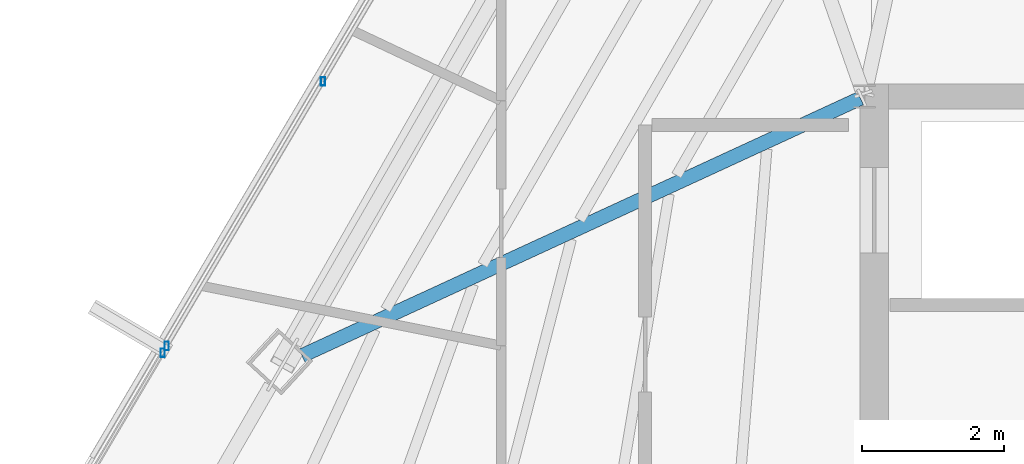
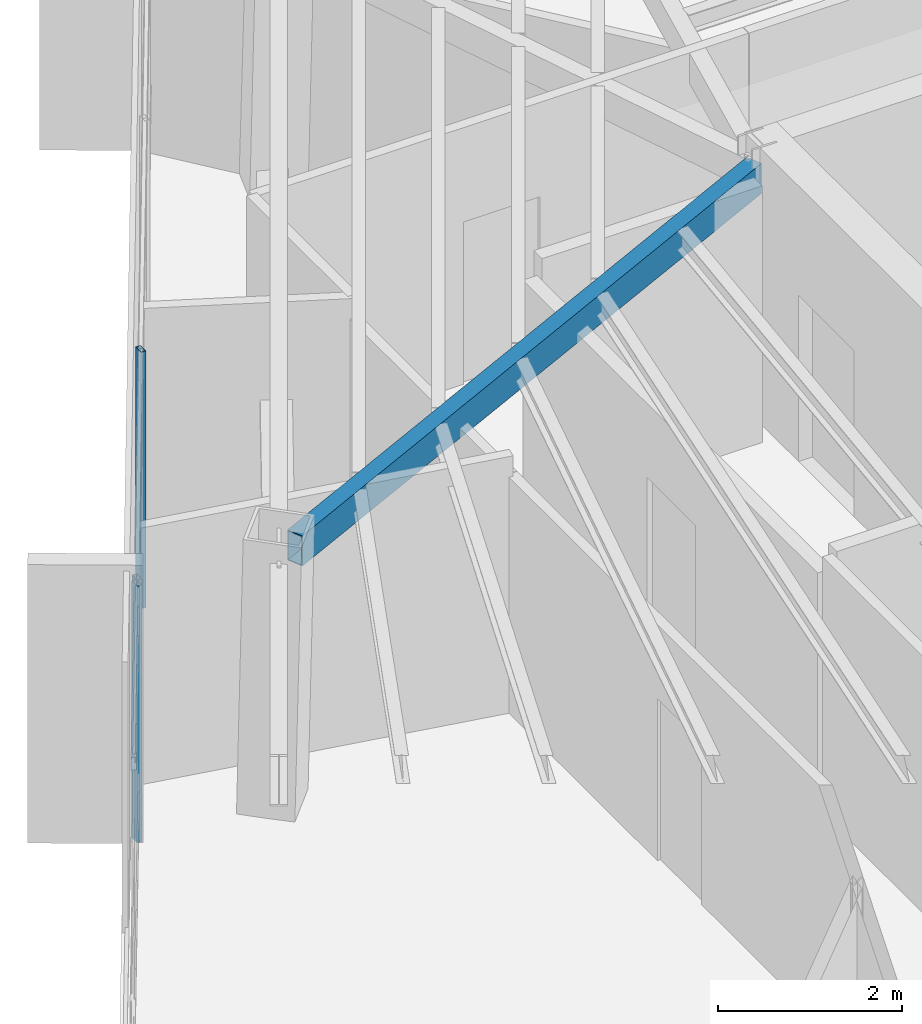
# One storey, part 15 of 46: 3 members, 1 beam, 2 elements without a shape of their own.
"""IFC4 building model written with IfcOpenShell, lengths in metres."""

from ifc_helpers import new_model, si_unit, direction, frame, origin, origin_2d, place, context, subcontext, project, spatial, hollow_rectangle, extrude, source, transform, mapped, material, material_profile, profile_set, type_object, type_shapes, element, aggregate, save


model = new_model("IFC4")

# Units and contexts
model_context = context("Model", 3, precision=1e-05, world=origin(), true_north=direction((0.0, 1.0)))
body_context = subcontext(model_context, "Body", "Model", "MODEL_VIEW")
ifc_project = project(units=[si_unit("LENGTHUNIT", "METRE"), si_unit("AREAUNIT", "SQUARE_METRE"), si_unit("VOLUMEUNIT", "CUBIC_METRE"), si_unit("PLANEANGLEUNIT", "RADIAN"), si_unit("MASSUNIT", "GRAM", prefix="KILO")], contexts=[model_context])

# Site, building, storey
site_placement = place(None, origin())
site = spatial("IfcSite", under=ifc_project, at=site_placement, CompositionType="ELEMENT")
building_placement = place(site_placement, origin())
building = spatial("IfcBuilding", under=site, at=building_placement, Name="Caelisora Broadcast Tower", CompositionType="ELEMENT")
storey_placement = place(building_placement, frame((0.0, 0.0, 251.75)))
storey = spatial("IfcBuildingStorey", under=building, at=storey_placement, Name="L66", CompositionType="ELEMENT", Elevation=251.75)

# Beam
ifc_material_1 = material(Name="Steel Grade 350 (AS/NZS 1163 C350L0)", Category="steel")
ifc_material_profile_1 = material_profile(ifc_material_1, hollow_rectangle(XDim=0.199951171875, YDim=0.39990234375, WallThickness=0.012451171875, at=origin_2d()), Name="Steel Grade 350 (AS/NZS 1163 C350L0)")
ifc_profile_set_1 = profile_set([ifc_material_profile_1], Name="Steel Grade 350 (AS/NZS 1163 C350L0)")
beam_type = type_object("IfcBeamType", Name="PG07", PredefinedType="BEAM", material=ifc_profile_set_1)
shared_shape_1 = source(origin(), body_context, "Body", "SweptSolid", [
    extrude(hollow_rectangle(XDim=0.199951171875, YDim=0.39990234375, WallThickness=0.012451171875, at=origin_2d()), origin(), (0.0, 0.0, 1.0), 8.63818359375),
])
type_shapes(beam_type, [shared_shape_1])
beam_placement = place(storey_placement, frame((30.445556640625, 29.974853515625, 3.199951171875), z_axis=(-0.908170206854, -0.418601093384, 0.0), x_axis=(0.418601093384, -0.908170206854, 0.0)))
element("IfcBeam", 1, at=beam_placement, inside=storey, type_object=beam_type, Name="L66 beam PG07", PredefinedType="BEAM", context=body_context, shape_type="MappedRepresentation", body=[
    mapped(shared_shape_1, transform((0.0, 0.0, 0.0), scale=1.0)),
])

# Curtain wall, member
ifc_material_2 = material(Name="Unitised Aluminium and Low-E Glass Curtain Wall", Category="glass")
curtain_wall_type_1 = type_object("IfcCurtainWallType", Name="CW-Z5", PredefinedType="NOTDEFINED", material=ifc_material_2)
curtain_wall_1_placement = place(storey_placement, origin())
curtain_wall_1 = element("IfcCurtainWall", 2, at=curtain_wall_1_placement, inside=storey, type_object=curtain_wall_type_1, Name="L66 curtain wall CW-Z5", PredefinedType="NOTDEFINED")
ifc_material_3 = material(Name="Aluminium 6063-T6 Anodised Terracotta Bronze", Category="aluminium")
ifc_material_profile_2 = material_profile(ifc_material_3, hollow_rectangle(XDim=0.06005859375, YDim=0.1201171875, WallThickness=0.0029296875, at=origin_2d()), Name="Aluminium 6063-T6 Anodised Terracotta Bronze")
ifc_profile_set_2 = profile_set([ifc_material_profile_2], Name="Aluminium 6063-T6 Anodised Terracotta Bronze")
member_type = type_object("IfcMemberType", Name="CWM-04", PredefinedType="MULLION", material=ifc_profile_set_2)
shared_shape_2 = source(origin(), body_context, "Body", "SweptSolid", [
    extrude(hollow_rectangle(XDim=0.06005859375, YDim=0.1201171875, WallThickness=0.0029296875, at=origin_2d()), origin(), (0.0, 0.0, 1.0), 3.39990234375),
])
type_shapes(member_type, [shared_shape_2])
member_1_placement = place(storey_placement, frame((20.644287109375, 26.39990234375, 0.0), z_axis=(0.0, 0.0, 1.0), x_axis=(1.0, 0.0, 0.0)))
member_1 = element("IfcMember", 3, at=member_1_placement, type_object=member_type, Name="L66-CW-B09 mullion #3", PredefinedType="MULLION", context=body_context, shape_type="MappedRepresentation", body=[
    mapped(shared_shape_2, transform((0.0, 0.0, 0.0), scale=1.0)),
])
aggregate(curtain_wall_1, [member_1])

# Curtain wall, members
ifc_material_4 = material(Name="Unitised Aluminium Insulated Shadow-Box Spandrel Curtain Wall", Category="aluminium")
curtain_wall_type_2 = type_object("IfcCurtainWallType", Name="CW-SP3", PredefinedType="NOTDEFINED", material=ifc_material_4)
curtain_wall_2_placement = place(storey_placement, origin())
curtain_wall_2 = element("IfcCurtainWall", 4, at=curtain_wall_2_placement, inside=storey, type_object=curtain_wall_type_2, Name="L66 curtain wall CW-SP3", PredefinedType="NOTDEFINED")
member_2_placement = place(storey_placement, frame((20.7001953125, 26.49462890625, 0.0), z_axis=(0.0, 0.0, 1.0), x_axis=(1.0, 0.0, 0.0)))
member_2 = element("IfcMember", 5, at=member_2_placement, type_object=member_type, Name="L66-CW-B10 mullion #0", PredefinedType="MULLION", context=body_context, shape_type="MappedRepresentation", body=[
    mapped(shared_shape_2, transform((0.0, 0.0, 0.0), scale=1.0)),
])
member_3_placement = place(storey_placement, frame((22.89599609375, 30.213623046875, 0.0), z_axis=(0.0, 0.0, 1.0), x_axis=(1.0, 0.0, 0.0)))
member_3 = element("IfcMember", 6, at=member_3_placement, type_object=member_type, Name="L66-CW-B10 mullion #1", PredefinedType="MULLION", context=body_context, shape_type="MappedRepresentation", body=[
    mapped(shared_shape_2, transform((0.0, 0.0, 0.0), scale=1.0)),
])
aggregate(curtain_wall_2, [member_2, member_3])

save(model, "model.ifc")
